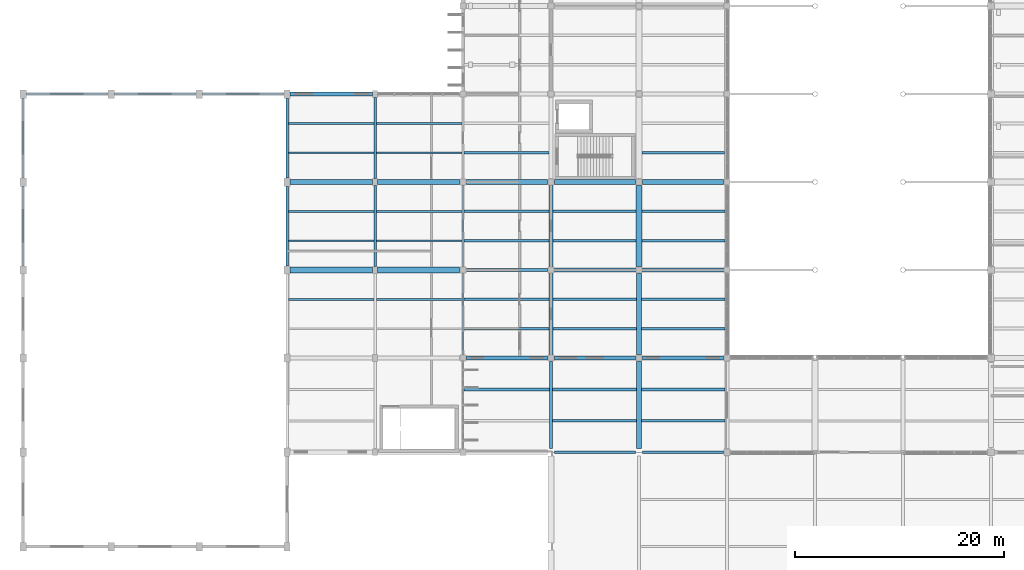
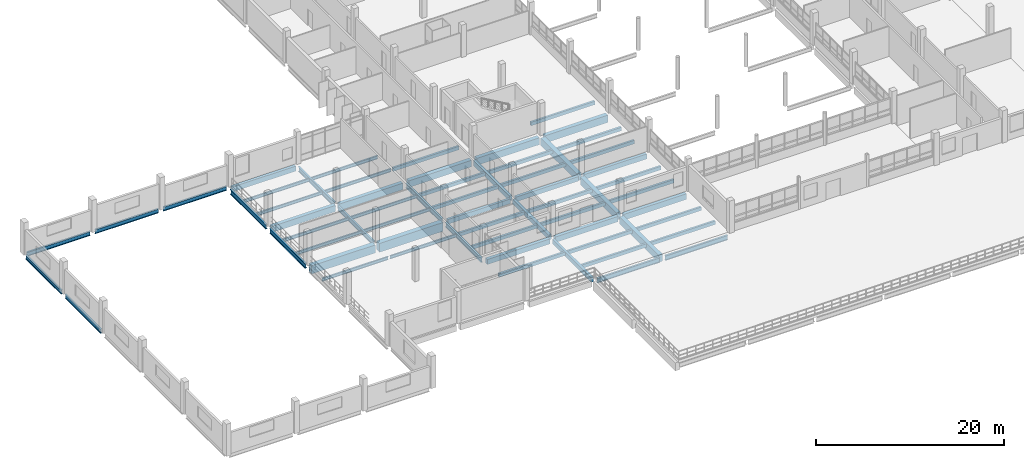
# One storey, part 11 of 101: 62 beams.
"""IFC4 building model written with IfcOpenShell, lengths in metres."""

from ifc_helpers import new_model, si_unit, direction, frame, origin, origin_2d, place, context, subcontext, project, spatial, rectangle, i_section, extrude, material, material_profile, profile_set, type_object, element, save


model = new_model("IFC4")

# Units and contexts
model_context = context("Model", 3, precision=1e-05, world=origin(), true_north=direction((0.0, 1.0)))
body_context = subcontext(model_context, "Body", "Model", "MODEL_VIEW")
ifc_project = project(units=[si_unit("LENGTHUNIT", "METRE"), si_unit("AREAUNIT", "SQUARE_METRE"), si_unit("VOLUMEUNIT", "CUBIC_METRE"), si_unit("PLANEANGLEUNIT", "RADIAN"), si_unit("MASSUNIT", "GRAM", prefix="KILO")], contexts=[model_context])

# Site, building, storey
site_placement = place(None, origin())
site = spatial("IfcSite", under=ifc_project, at=site_placement, CompositionType="ELEMENT")
building_placement = place(site_placement, origin())
building = spatial("IfcBuilding", under=site, at=building_placement, Name="Vireocrest Preparatory School", CompositionType="ELEMENT")
storey_placement = place(building_placement, frame((0.0, 0.0, 4.800048828125)))
storey = spatial("IfcBuildingStorey", under=building, at=storey_placement, Name="L01", CompositionType="ELEMENT", Elevation=4.800048828125)

# Beams
ifc_material_1 = material(Name="Structural steel ASTM A992 Grade 50", Category="steel")
ifc_material_profile_1 = material_profile(ifc_material_1, i_section(OverallWidth=0.208984375, OverallDepth=0.532958984375, WebThickness=0.01025390625, FlangeThickness=0.015625, FilletRadius=0.014892578125, at=origin_2d()), Name="W21X62")
ifc_profile_set_1 = profile_set([ifc_material_profile_1], Name="Structural steel ASTM A992 Grade 50")
beam_type_1 = type_object("IfcBeamType", Name="Court Tie Girder W21X62", PredefinedType="BEAM", material=ifc_profile_set_1)
beam_1_placement = place(storey_placement, frame((0.0, 35.794921875, -0.2666015625), z_axis=(0.0, 1.0, 0.0), x_axis=(-1.0, 0.0, 0.0)))
element("IfcBeam", 1, at=beam_1_placement, inside=storey, type_object=beam_type_1, Name="Hall Perimeter Wall Girt SB5 L01-04", PredefinedType="BEAM", context=body_context, shape_type="SweptSolid", body=[
    extrude(i_section(OverallWidth=0.208984375, OverallDepth=0.532958984375, WebThickness=0.01025390625, FlangeThickness=0.015625, FilletRadius=0.014892578125, at=origin_2d()), origin(), (0.0, 0.0, 1.0), 7.610107421875),
])
beam_2_placement = place(storey_placement, frame((0.0, 44.195068359375, -0.2666015625), z_axis=(0.0, 1.0, 0.0), x_axis=(-1.0, 0.0, 0.0)))
element("IfcBeam", 2, at=beam_2_placement, inside=storey, type_object=beam_type_1, Name="Hall Perimeter Wall Girt SB5 L01-05", PredefinedType="BEAM", context=body_context, shape_type="SweptSolid", body=[
    extrude(i_section(OverallWidth=0.208984375, OverallDepth=0.532958984375, WebThickness=0.01025390625, FlangeThickness=0.015625, FilletRadius=0.014892578125, at=origin_2d()), origin(), (0.0, 0.0, 1.0), 7.60986328125),
])
beam_3_placement = place(storey_placement, frame((0.294921875, 52.199951171875, -0.2666015625), z_axis=(1.0, 0.0, 0.0), x_axis=(0.0, 1.0, 0.0)))
element("IfcBeam", 3, at=beam_3_placement, inside=storey, type_object=beam_type_1, Name="Hall Perimeter Wall Girt SB5 L01-10", PredefinedType="BEAM", context=body_context, shape_type="SweptSolid", body=[
    extrude(i_section(OverallWidth=0.208984375, OverallDepth=0.532958984375, WebThickness=0.01025390625, FlangeThickness=0.015625, FilletRadius=0.014892578125, at=origin_2d()), origin(), (0.0, 0.0, 1.0), 7.81005859375),
])
beam_4_placement = place(storey_placement, frame((8.695068359375, 52.199951171875, -0.2666015625), z_axis=(1.0, 0.0, 0.0), x_axis=(0.0, 1.0, 0.0)))
element("IfcBeam", 4, at=beam_4_placement, inside=storey, type_object=beam_type_1, Name="Hall Perimeter Wall Girt SB5 L01-11", PredefinedType="BEAM", context=body_context, shape_type="SweptSolid", body=[
    extrude(i_section(OverallWidth=0.208984375, OverallDepth=0.532958984375, WebThickness=0.01025390625, FlangeThickness=0.015625, FilletRadius=0.014892578125, at=origin_2d()), origin(), (0.0, 0.0, 1.0), 7.809814453125),
])
beam_5_placement = place(storey_placement, frame((17.094970703125, 52.199951171875, -0.2666015625), z_axis=(1.0, 0.0, 0.0), x_axis=(0.0, 1.0, 0.0)))
element("IfcBeam", 5, at=beam_5_placement, inside=storey, type_object=beam_type_1, Name="Hall Perimeter Wall Girt SB5 L01-12", PredefinedType="BEAM", context=body_context, shape_type="SweptSolid", body=[
    extrude(i_section(OverallWidth=0.208984375, OverallDepth=0.532958984375, WebThickness=0.01025390625, FlangeThickness=0.015625, FilletRadius=0.014892578125, at=origin_2d()), origin(), (0.0, 0.0, 1.0), 7.81005859375),
])
ifc_material_profile_2 = material_profile(ifc_material_1, i_section(OverallWidth=0.22802734375, OverallDepth=0.60302734375, WebThickness=0.010498046875, FlangeThickness=0.014892578125, FilletRadius=0.01611328125, at=origin_2d()), Name="W24X68")
ifc_profile_set_2 = profile_set([ifc_material_profile_2], Name="Structural steel ASTM A992 Grade 50")
beam_type_2 = type_object("IfcBeamType", Name="Dining Pavilion Roof Girder W24X68", PredefinedType="BEAM", material=ifc_profile_set_2)
beam_6_placement = place(storey_placement, frame((50.75, 18.0, -0.62158203125), z_axis=(1.0, 0.0, 0.0), x_axis=(0.0, 1.0, 0.0)))
element("IfcBeam", 6, at=beam_6_placement, inside=storey, type_object=beam_type_2, Name="Primary Girder SB4 L01-0262", PredefinedType="BEAM", context=body_context, shape_type="SweptSolid", body=[
    extrude(i_section(OverallWidth=0.22802734375, OverallDepth=0.60302734375, WebThickness=0.010498046875, FlangeThickness=0.014892578125, FilletRadius=0.01611328125, at=origin_2d()), origin(), (0.0, 0.0, 1.0), 7.699951171875),
])
beam_7_placement = place(storey_placement, frame((59.14990234375, 18.0, -0.62158203125), z_axis=(1.0, 0.0, 0.0), x_axis=(0.0, 1.0, 0.0)))
element("IfcBeam", 7, at=beam_7_placement, inside=storey, type_object=beam_type_2, Name="Primary Girder SB4 L01-0263", PredefinedType="BEAM", context=body_context, shape_type="SweptSolid", body=[
    extrude(i_section(OverallWidth=0.22802734375, OverallDepth=0.60302734375, WebThickness=0.010498046875, FlangeThickness=0.014892578125, FilletRadius=0.01611328125, at=origin_2d()), origin(), (0.0, 0.0, 1.0), 7.7001953125),
])
ifc_material_profile_3 = material_profile(ifc_material_1, i_section(OverallWidth=0.177978515625, OverallDepth=0.406005859375, WebThickness=0.0078125, FlangeThickness=0.0126953125, FilletRadius=0.012939453125, at=origin_2d()), Name="W16X40")
ifc_profile_set_3 = profile_set([ifc_material_profile_3], Name="Structural steel ASTM A992 Grade 50")
beam_type_3 = type_object("IfcBeamType", Name="Gallery Secondary Joist W16X40", PredefinedType="JOIST", material=ifc_profile_set_3)
for number, where, z_axis, x_axis, name in (
    (8, (25.31396484375, 32.60009765625, -0.483154296875), (1.0, 0.0, 0.0), (0.0, 1.0, 0.0), "Secondary Joist SJ3 L01-0495"),
    (9, (25.31396484375, 38.199951171875, -0.483154296875), (1.0, 0.0, 0.0), (0.0, 1.0, 0.0), "Secondary Joist SJ3 L01-0496"),
    (10, (25.31396484375, 41.0, -0.483154296875), (1.0, 0.0, 0.0), (0.0, 1.0, 0.0), "Secondary Joist SJ3 L01-0497"),
    (11, (25.31396484375, 46.60009765625, -0.483154296875), (1.0, 0.0, 0.0), (0.0, 1.0, 0.0), "Secondary Joist SJ3 L01-0498"),
    (12, (25.31396484375, 49.39990234375, -0.483154296875), (1.0, 0.0, 0.0), (0.0, 1.0, 0.0), "Secondary Joist SJ3 L01-0499"),
):
    element("IfcBeam", number, at=place(storey_placement, frame(where, z_axis=z_axis, x_axis=x_axis)), inside=storey, type_object=beam_type_3, Name=name, PredefinedType="JOIST", context=body_context, shape_type="SweptSolid", body=[
        extrude(i_section(OverallWidth=0.177978515625, OverallDepth=0.406005859375, WebThickness=0.0078125, FlangeThickness=0.0126953125, FilletRadius=0.012939453125, at=origin_2d()), origin(), (0.0, 0.0, 1.0), 8.172119140625),
    ])
for number, where, z_axis, x_axis, name in (
    (13, (33.714111328125, 32.60009765625, -0.483154296875), (1.0, 0.0, 0.0), (0.0, 1.0, 0.0), "Secondary Joist SJ3 L01-0501"),
    (14, (33.714111328125, 38.199951171875, -0.483154296875), (1.0, 0.0, 0.0), (0.0, 1.0, 0.0), "Secondary Joist SJ3 L01-0502"),
    (15, (33.714111328125, 41.0, -0.483154296875), (1.0, 0.0, 0.0), (0.0, 1.0, 0.0), "Secondary Joist SJ3 L01-0503"),
    (16, (33.714111328125, 46.60009765625, -0.483154296875), (1.0, 0.0, 0.0), (0.0, 1.0, 0.0), "Secondary Joist SJ3 L01-0504"),
    (17, (33.714111328125, 49.39990234375, -0.483154296875), (1.0, 0.0, 0.0), (0.0, 1.0, 0.0), "Secondary Joist SJ3 L01-0505"),
):
    element("IfcBeam", number, at=place(storey_placement, frame(where, z_axis=z_axis, x_axis=x_axis)), inside=storey, type_object=beam_type_3, Name=name, PredefinedType="JOIST", context=body_context, shape_type="SweptSolid", body=[
        extrude(i_section(OverallWidth=0.177978515625, OverallDepth=0.406005859375, WebThickness=0.0078125, FlangeThickness=0.0126953125, FilletRadius=0.012939453125, at=origin_2d()), origin(), (0.0, 0.0, 1.0), 8.171875),
    ])
ifc_material_profile_4 = material_profile(ifc_material_1, i_section(OverallWidth=0.22802734375, OverallDepth=0.60791015625, WebThickness=0.01123046875, FlangeThickness=0.017333984375, FilletRadius=0.01611328125, at=origin_2d()), Name="W24X76")
ifc_profile_set_4 = profile_set([ifc_material_profile_4], Name="Structural steel ASTM A992 Grade 50")
beam_type_4 = type_object("IfcBeamType", Name="Gallery Steel Girder W24X76", PredefinedType="BEAM", material=ifc_profile_set_4)
beam_8_placement = place(storey_placement, frame((25.199951171875, 35.800048828125, -0.583984375), z_axis=(0.0, 1.0, 0.0), x_axis=(-1.0, 0.0, 0.0)))
element("IfcBeam", 18, at=beam_8_placement, inside=storey, type_object=beam_type_4, Name="Primary Girder SB3 L01-0373", PredefinedType="BEAM", context=body_context, shape_type="SweptSolid", body=[
    extrude(i_section(OverallWidth=0.22802734375, OverallDepth=0.60791015625, WebThickness=0.01123046875, FlangeThickness=0.017333984375, FilletRadius=0.01611328125, at=origin_2d()), origin(), (0.0, 0.0, 1.0), 7.599853515625),
])
beam_9_placement = place(storey_placement, frame((25.199951171875, 44.199951171875, -0.583984375), z_axis=(0.0, 1.0, 0.0), x_axis=(-1.0, 0.0, 0.0)))
element("IfcBeam", 19, at=beam_9_placement, inside=storey, type_object=beam_type_4, Name="Primary Girder SB3 L01-0374", PredefinedType="BEAM", context=body_context, shape_type="SweptSolid", body=[
    extrude(i_section(OverallWidth=0.22802734375, OverallDepth=0.60791015625, WebThickness=0.01123046875, FlangeThickness=0.017333984375, FilletRadius=0.01611328125, at=origin_2d()), origin(), (0.0, 0.0, 1.0), 7.60009765625),
])
beam_10_placement = place(storey_placement, frame((33.60009765625, 35.75, -0.583984375), z_axis=(0.0, 1.0, 0.0), x_axis=(-1.0, 0.0, 0.0)))
element("IfcBeam", 20, at=beam_10_placement, inside=storey, type_object=beam_type_4, Name="Primary Girder SB3 L01-0377", PredefinedType="BEAM", context=body_context, shape_type="SweptSolid", body=[
    extrude(i_section(OverallWidth=0.22802734375, OverallDepth=0.60791015625, WebThickness=0.01123046875, FlangeThickness=0.017333984375, FilletRadius=0.01611328125, at=origin_2d()), origin(), (0.0, 0.0, 1.0), 7.699951171875),
])
beam_11_placement = place(storey_placement, frame((33.60009765625, 44.14990234375, -0.583984375), z_axis=(0.0, 1.0, 0.0), x_axis=(-1.0, 0.0, 0.0)))
element("IfcBeam", 21, at=beam_11_placement, inside=storey, type_object=beam_type_4, Name="Primary Girder SB3 L01-0378", PredefinedType="BEAM", context=body_context, shape_type="SweptSolid", body=[
    extrude(i_section(OverallWidth=0.22802734375, OverallDepth=0.60791015625, WebThickness=0.01123046875, FlangeThickness=0.017333984375, FilletRadius=0.01611328125, at=origin_2d()), origin(), (0.0, 0.0, 1.0), 7.7001953125),
])
for number, where, z_axis, x_axis, name in (
    (22, (42.0, 27.35009765625, -0.583984375), (0.0, 1.0, 0.0), (-1.0, 0.0, 0.0), "Primary Girder SB3 L01-0380"),
    (23, (42.0, 35.75, -0.583984375), (0.0, 1.0, 0.0), (-1.0, 0.0, 0.0), "Primary Girder SB3 L01-0381"),
):
    element("IfcBeam", number, at=place(storey_placement, frame(where, z_axis=z_axis, x_axis=x_axis)), inside=storey, type_object=beam_type_4, Name=name, PredefinedType="BEAM", context=body_context, shape_type="SweptSolid", body=[
        extrude(i_section(OverallWidth=0.22802734375, OverallDepth=0.60791015625, WebThickness=0.01123046875, FlangeThickness=0.017333984375, FilletRadius=0.01611328125, at=origin_2d()), origin(), (0.0, 0.0, 1.0), 7.699951171875),
    ])
ifc_material_2 = material(Name="Concrete 40 MPa", Category="concrete")
ifc_material_profile_5 = material_profile(ifc_material_2, rectangle(XDim=0.5, YDim=0.949951171875, at=origin_2d()), Name="RC 500x950")
ifc_profile_set_5 = profile_set([ifc_material_profile_5], Name="Concrete 40 MPa")
beam_type_5 = type_object("IfcBeamType", Name="RC Basement Ceiling Girder 500x950", PredefinedType="BEAM", material=ifc_profile_set_5)
beam_12_placement = place(storey_placement, frame((59.14990234375, 43.800048828125, -0.715087890625), z_axis=(1.0, 0.0, 0.0), x_axis=(0.0, 1.0, 0.0)))
element("IfcBeam", 24, at=beam_12_placement, inside=storey, type_object=beam_type_5, Name="Primary Girder B16 L01-0302", PredefinedType="BEAM", context=body_context, shape_type="SweptSolid", body=[
    extrude(rectangle(XDim=0.5, YDim=0.949951171875, at=origin_2d()), origin(), (0.0, 0.0, 1.0), 7.7001953125),
])
beam_13_placement = place(storey_placement, frame((58.800048828125, 27.35009765625, -0.715087890625), z_axis=(0.0, 1.0, 0.0), x_axis=(-1.0, 0.0, 0.0)))
element("IfcBeam", 25, at=beam_13_placement, inside=storey, type_object=beam_type_5, Name="Primary Girder B16 L01-0405", PredefinedType="BEAM", context=body_context, shape_type="SweptSolid", body=[
    extrude(rectangle(XDim=0.5, YDim=0.949951171875, at=origin_2d()), origin(), (0.0, 0.0, 1.0), 7.699951171875),
])
ifc_material_profile_6 = material_profile(ifc_material_2, rectangle(XDim=0.300048828125, YDim=0.60009765625, at=origin_2d()), Name="RC 300x600")
ifc_profile_set_6 = profile_set([ifc_material_profile_6], Name="Concrete 40 MPa")
beam_type_6 = type_object("IfcBeamType", Name="RC Classroom Beam 300x600", PredefinedType="BEAM", material=ifc_profile_set_6)
beam_14_placement = place(storey_placement, frame((42.35009765625, 35.39990234375, -0.5400390625), z_axis=(1.0, 0.0, 0.0), x_axis=(0.0, 1.0, 0.0)))
element("IfcBeam", 26, at=beam_14_placement, inside=storey, type_object=beam_type_6, Name="Primary Girder B03 L01-0289", PredefinedType="BEAM", context=body_context, shape_type="SweptSolid", body=[
    extrude(rectangle(XDim=0.300048828125, YDim=0.60009765625, at=origin_2d()), origin(), (0.0, 0.0, 1.0), 7.699951171875),
])
beam_15_placement = place(storey_placement, frame((50.39990234375, 18.35009765625, -0.6201171875), z_axis=(0.0, 1.0, 0.0), x_axis=(-1.0, 0.0, 0.0)))
element("IfcBeam", 27, at=beam_15_placement, inside=storey, type_object=beam_type_6, Name="Primary Girder B03 L01-0392", PredefinedType="BEAM", context=body_context, shape_type="SweptSolid", body=[
    extrude(rectangle(XDim=0.300048828125, YDim=0.60009765625, at=origin_2d()), origin(), (0.0, 0.0, 1.0), 8.2998046875),
])
ifc_material_profile_7 = material_profile(ifc_material_2, rectangle(XDim=0.35009765625, YDim=0.60009765625, at=origin_2d()), Name="RC 350x600")
ifc_profile_set_7 = profile_set([ifc_material_profile_7], Name="Concrete 40 MPa")
beam_type_7 = type_object("IfcBeamType", Name="RC Classroom Girder 350x600", PredefinedType="BEAM", material=ifc_profile_set_7)
for number, where, z_axis, x_axis, name in (
    (28, (50.75, 35.39990234375, -0.5400390625), (1.0, 0.0, 0.0), (0.0, 1.0, 0.0), "Primary Girder B04 L01-0290"),
    (29, (50.39990234375, 27.35009765625, -0.5400390625), (0.0, 1.0, 0.0), (-1.0, 0.0, 0.0), "Primary Girder B04 L01-0393"),
):
    element("IfcBeam", number, at=place(storey_placement, frame(where, z_axis=z_axis, x_axis=x_axis)), inside=storey, type_object=beam_type_7, Name=name, PredefinedType="BEAM", context=body_context, shape_type="SweptSolid", body=[
        extrude(rectangle(XDim=0.35009765625, YDim=0.60009765625, at=origin_2d()), origin(), (0.0, 0.0, 1.0), 7.699951171875),
    ])
ifc_material_profile_8 = material_profile(ifc_material_2, rectangle(XDim=0.35009765625, YDim=0.64990234375, at=origin_2d()), Name="RC 350x650")
ifc_profile_set_8 = profile_set([ifc_material_profile_8], Name="Concrete 40 MPa")
beam_type_8 = type_object("IfcBeamType", Name="RC Classroom Girder 350x650", PredefinedType="BEAM", material=ifc_profile_set_8)
beam_16_placement = place(storey_placement, frame((59.14990234375, 35.39990234375, -0.56494140625), z_axis=(1.0, 0.0, 0.0), x_axis=(0.0, 1.0, 0.0)))
element("IfcBeam", 30, at=beam_16_placement, inside=storey, type_object=beam_type_8, Name="Primary Girder B05 L01-0291", PredefinedType="BEAM", context=body_context, shape_type="SweptSolid", body=[
    extrude(rectangle(XDim=0.35009765625, YDim=0.64990234375, at=origin_2d()), origin(), (0.0, 0.0, 1.0), 7.7001953125),
])
beam_17_placement = place(storey_placement, frame((25.5, 52.199951171875, -0.60498046875), z_axis=(1.0, 0.0, 0.0), x_axis=(0.0, 1.0, 0.0)))
element("IfcBeam", 31, at=beam_17_placement, inside=storey, type_object=beam_type_8, Name="Primary Girder B05 L01-0309", PredefinedType="BEAM", context=body_context, shape_type="SweptSolid", body=[
    extrude(rectangle(XDim=0.35009765625, YDim=0.64990234375, at=origin_2d()), origin(), (0.0, 0.0, 1.0), 7.85009765625),
])
beam_18_placement = place(storey_placement, frame((50.39990234375, 35.75, -0.56494140625), z_axis=(0.0, 1.0, 0.0), x_axis=(-1.0, 0.0, 0.0)))
element("IfcBeam", 32, at=beam_18_placement, inside=storey, type_object=beam_type_8, Name="Primary Girder B05 L01-0394", PredefinedType="BEAM", context=body_context, shape_type="SweptSolid", body=[
    extrude(rectangle(XDim=0.35009765625, YDim=0.64990234375, at=origin_2d()), origin(), (0.0, 0.0, 1.0), 7.699951171875),
])
ifc_material_profile_9 = material_profile(ifc_material_2, rectangle(XDim=0.39990234375, YDim=0.75, at=origin_2d()), Name="RC 400x750")
ifc_profile_set_9 = profile_set([ifc_material_profile_9], Name="Concrete 40 MPa")
beam_type_9 = type_object("IfcBeamType", Name="RC Commons Girder 400x750", PredefinedType="BEAM", material=ifc_profile_set_9)
beam_19_placement = place(storey_placement, frame((59.14990234375, 27.0, -0.695068359375), z_axis=(1.0, 0.0, 0.0), x_axis=(0.0, 1.0, 0.0)))
element("IfcBeam", 33, at=beam_19_placement, inside=storey, type_object=beam_type_9, Name="Primary Girder B09 L01-0277", PredefinedType="BEAM", context=body_context, shape_type="SweptSolid", body=[
    extrude(rectangle(XDim=0.39990234375, YDim=0.75, at=origin_2d()), origin(), (0.0, 0.0, 1.0), 7.7001953125),
])
ifc_material_profile_10 = material_profile(ifc_material_2, rectangle(XDim=0.39990234375, YDim=0.699951171875, at=origin_2d()), Name="RC 400x700")
ifc_profile_set_10 = profile_set([ifc_material_profile_10], Name="Concrete 40 MPa")
beam_type_10 = type_object("IfcBeamType", Name="RC Corridor Girder 400x700", PredefinedType="BEAM", material=ifc_profile_set_10)
beam_20_placement = place(storey_placement, frame((50.75, 27.0, -0.670166015625), z_axis=(1.0, 0.0, 0.0), x_axis=(0.0, 1.0, 0.0)))
element("IfcBeam", 34, at=beam_20_placement, inside=storey, type_object=beam_type_10, Name="Primary Girder B08 L01-0276", PredefinedType="BEAM", context=body_context, shape_type="SweptSolid", body=[
    extrude(rectangle(XDim=0.39990234375, YDim=0.699951171875, at=origin_2d()), origin(), (0.0, 0.0, 1.0), 7.699951171875),
])
ifc_material_profile_11 = material_profile(ifc_material_2, rectangle(XDim=0.449951171875, YDim=0.85009765625, at=origin_2d()), Name="RC 450x850")
ifc_profile_set_11 = profile_set([ifc_material_profile_11], Name="Concrete 40 MPa")
beam_type_11 = type_object("IfcBeamType", Name="RC Heavy Floor Girder 450x850", PredefinedType="BEAM", material=ifc_profile_set_11)
beam_21_placement = place(storey_placement, frame((33.85009765625, 43.800048828125, -0.705078125), z_axis=(1.0, 0.0, 0.0), x_axis=(0.0, 1.0, 0.0)))
element("IfcBeam", 35, at=beam_21_placement, inside=storey, type_object=beam_type_11, Name="Primary Girder B13 L01-0299", PredefinedType="BEAM", context=body_context, shape_type="SweptSolid", body=[
    extrude(rectangle(XDim=0.449951171875, YDim=0.85009765625, at=origin_2d()), origin(), (0.0, 0.0, 1.0), 7.7998046875),
])
ifc_material_profile_12 = material_profile(ifc_material_2, rectangle(XDim=0.60009765625, YDim=1.14990234375, at=origin_2d()), Name="RC 600x1150")
ifc_profile_set_12 = profile_set([ifc_material_profile_12], Name="Concrete 40 MPa")
beam_type_12 = type_object("IfcBeamType", Name="RC Heavy Transfer Girder 600x1150", PredefinedType="BEAM", material=ifc_profile_set_12)
beam_22_placement = place(storey_placement, frame((33.85009765625, 35.39990234375, -0.85498046875), z_axis=(1.0, 0.0, 0.0), x_axis=(0.0, 1.0, 0.0)))
element("IfcBeam", 36, at=beam_22_placement, inside=storey, type_object=beam_type_12, Name="Primary Girder B20 L01-0288", PredefinedType="BEAM", context=body_context, shape_type="SweptSolid", body=[
    extrude(rectangle(XDim=0.60009765625, YDim=1.14990234375, at=origin_2d()), origin(), (0.0, 0.0, 1.0), 7.7998046875),
])
ifc_material_profile_13 = material_profile(ifc_material_2, rectangle(XDim=0.39990234375, YDim=0.64990234375, at=origin_2d()), Name="RC 400x650")
ifc_profile_set_13 = profile_set([ifc_material_profile_13], Name="Concrete 40 MPa")
beam_type_13 = type_object("IfcBeamType", Name="RC Laboratory Girder 400x650", PredefinedType="BEAM", material=ifc_profile_set_13)
beam_23_placement = place(storey_placement, frame((42.35009765625, 27.0, -0.64501953125), z_axis=(1.0, 0.0, 0.0), x_axis=(0.0, 1.0, 0.0)))
element("IfcBeam", 37, at=beam_23_placement, inside=storey, type_object=beam_type_13, Name="Primary Girder B07 L01-0275", PredefinedType="BEAM", context=body_context, shape_type="SweptSolid", body=[
    extrude(rectangle(XDim=0.39990234375, YDim=0.64990234375, at=origin_2d()), origin(), (0.0, 0.0, 1.0), 7.699951171875),
])
ifc_material_profile_14 = material_profile(ifc_material_2, rectangle(XDim=0.449951171875, YDim=0.800048828125, at=origin_2d()), Name="RC 450x800")
ifc_profile_set_14 = profile_set([ifc_material_profile_14], Name="Concrete 40 MPa")
beam_type_14 = type_object("IfcBeamType", Name="RC Library Stack Girder 450x800", PredefinedType="BEAM", material=ifc_profile_set_14)
beam_24_placement = place(storey_placement, frame((25.5, 43.800048828125, -0.679931640625), z_axis=(1.0, 0.0, 0.0), x_axis=(0.0, 1.0, 0.0)))
element("IfcBeam", 38, at=beam_24_placement, inside=storey, type_object=beam_type_14, Name="Primary Girder B12 L01-0298", PredefinedType="BEAM", context=body_context, shape_type="SweptSolid", body=[
    extrude(rectangle(XDim=0.449951171875, YDim=0.800048828125, at=origin_2d()), origin(), (0.0, 0.0, 1.0), 7.85009765625),
])
ifc_material_profile_15 = material_profile(ifc_material_2, rectangle(XDim=0.5, YDim=0.85009765625, at=origin_2d()), Name="RC 500x850")
ifc_profile_set_15 = profile_set([ifc_material_profile_15], Name="Concrete 40 MPa")
beam_type_15 = type_object("IfcBeamType", Name="RC Podium Girder 500x850", PredefinedType="BEAM", material=ifc_profile_set_15)
beam_25_placement = place(storey_placement, frame((42.35009765625, 43.800048828125, -0.6650390625), z_axis=(1.0, 0.0, 0.0), x_axis=(0.0, 1.0, 0.0)))
element("IfcBeam", 39, at=beam_25_placement, inside=storey, type_object=beam_type_15, Name="Primary Girder B14 L01-0300", PredefinedType="BEAM", context=body_context, shape_type="SweptSolid", body=[
    extrude(rectangle(XDim=0.5, YDim=0.85009765625, at=origin_2d()), origin(), (0.0, 0.0, 1.0), 7.699951171875),
])
ifc_material_profile_16 = material_profile(ifc_material_2, rectangle(XDim=0.5, YDim=0.89990234375, at=origin_2d()), Name="RC 500x900")
ifc_profile_set_16 = profile_set([ifc_material_profile_16], Name="Concrete 40 MPa")
beam_type_16 = type_object("IfcBeamType", Name="RC Podium Girder 500x900", PredefinedType="BEAM", material=ifc_profile_set_16)
beam_26_placement = place(storey_placement, frame((50.75, 43.800048828125, -0.68994140625), z_axis=(1.0, 0.0, 0.0), x_axis=(0.0, 1.0, 0.0)))
element("IfcBeam", 40, at=beam_26_placement, inside=storey, type_object=beam_type_16, Name="Primary Girder B15 L01-0301", PredefinedType="BEAM", context=body_context, shape_type="SweptSolid", body=[
    extrude(rectangle(XDim=0.5, YDim=0.89990234375, at=origin_2d()), origin(), (0.0, 0.0, 1.0), 7.699951171875),
])
beam_27_placement = place(storey_placement, frame((58.800048828125, 18.35009765625, -0.77001953125), z_axis=(0.0, 1.0, 0.0), x_axis=(-1.0, 0.0, 0.0)))
element("IfcBeam", 41, at=beam_27_placement, inside=storey, type_object=beam_type_16, Name="Primary Girder B15 L01-0404", PredefinedType="BEAM", context=body_context, shape_type="SweptSolid", body=[
    extrude(rectangle(XDim=0.5, YDim=0.89990234375, at=origin_2d()), origin(), (0.0, 0.0, 1.0), 8.2998046875),
])
ifc_material_profile_17 = material_profile(ifc_material_2, rectangle(XDim=0.25, YDim=0.449951171875, at=origin_2d()), Name="RC 250x450")
ifc_profile_set_17 = profile_set([ifc_material_profile_17], Name="Concrete 40 MPa")
beam_type_17 = type_object("IfcBeamType", Name="RC Secondary Floor Joist 250x450", PredefinedType="JOIST", material=ifc_profile_set_17)
beam_28_placement = place(storey_placement, frame((42.114013671875, 24.0, -0.545166015625), z_axis=(1.0, 0.0, 0.0), x_axis=(0.0, 1.0, 0.0)))
element("IfcBeam", 42, at=beam_28_placement, inside=storey, type_object=beam_type_17, Name="Secondary Joist J01 L01-0507", PredefinedType="JOIST", context=body_context, shape_type="SweptSolid", body=[
    extrude(rectangle(XDim=0.25, YDim=0.449951171875, at=origin_2d()), origin(), (0.0, 0.0, 1.0), 8.135986328125),
])
for number, where, z_axis, x_axis, name in (
    (43, (42.114013671875, 29.800048828125, -0.465087890625), (1.0, 0.0, 0.0), (0.0, 1.0, 0.0), "Secondary Joist J01 L01-0508"),
    (44, (42.114013671875, 32.60009765625, -0.465087890625), (1.0, 0.0, 0.0), (0.0, 1.0, 0.0), "Secondary Joist J01 L01-0509"),
    (45, (42.114013671875, 38.199951171875, -0.465087890625), (1.0, 0.0, 0.0), (0.0, 1.0, 0.0), "Secondary Joist J01 L01-0510"),
    (46, (42.114013671875, 41.0, -0.465087890625), (1.0, 0.0, 0.0), (0.0, 1.0, 0.0), "Secondary Joist J01 L01-0511"),
    (47, (42.114013671875, 46.60009765625, -0.465087890625), (1.0, 0.0, 0.0), (0.0, 1.0, 0.0), "Secondary Joist J01 L01-0512"),
):
    element("IfcBeam", number, at=place(storey_placement, frame(where, z_axis=z_axis, x_axis=x_axis)), inside=storey, type_object=beam_type_17, Name=name, PredefinedType="JOIST", context=body_context, shape_type="SweptSolid", body=[
        extrude(rectangle(XDim=0.25, YDim=0.449951171875, at=origin_2d()), origin(), (0.0, 0.0, 1.0), 8.111083984375),
    ])
for number, where, z_axis, x_axis, name in (
    (48, (50.550048828125, 21.0, -0.545166015625), (1.0, 0.0, 0.0), (0.0, 1.0, 0.0), "Secondary Joist J01 L01-0528"),
    (49, (50.550048828125, 24.0, -0.545166015625), (1.0, 0.0, 0.0), (0.0, 1.0, 0.0), "Secondary Joist J01 L01-0529"),
):
    element("IfcBeam", number, at=place(storey_placement, frame(where, z_axis=z_axis, x_axis=x_axis)), inside=storey, type_object=beam_type_17, Name=name, PredefinedType="JOIST", context=body_context, shape_type="SweptSolid", body=[
        extrude(rectangle(XDim=0.25, YDim=0.449951171875, at=origin_2d()), origin(), (0.0, 0.0, 1.0), 8.0),
    ])
for number, where, z_axis, x_axis, name in (
    (50, (50.574951171875, 29.800048828125, -0.465087890625), (1.0, 0.0, 0.0), (0.0, 1.0, 0.0), "Secondary Joist J01 L01-0530"),
    (51, (50.574951171875, 32.60009765625, -0.465087890625), (1.0, 0.0, 0.0), (0.0, 1.0, 0.0), "Secondary Joist J01 L01-0531"),
):
    element("IfcBeam", number, at=place(storey_placement, frame(where, z_axis=z_axis, x_axis=x_axis)), inside=storey, type_object=beam_type_17, Name=name, PredefinedType="JOIST", context=body_context, shape_type="SweptSolid", body=[
        extrude(rectangle(XDim=0.25, YDim=0.449951171875, at=origin_2d()), origin(), (0.0, 0.0, 1.0), 7.97509765625),
    ])
for number, where, z_axis, x_axis, name in (
    (52, (50.574951171875, 38.199951171875, -0.465087890625), (1.0, 0.0, 0.0), (0.0, 1.0, 0.0), "Secondary Joist J01 L01-0532"),
    (53, (50.574951171875, 41.0, -0.465087890625), (1.0, 0.0, 0.0), (0.0, 1.0, 0.0), "Secondary Joist J01 L01-0533"),
    (54, (59.050048828125, 21.0, -0.545166015625), (1.0, 0.0, 0.0), (0.0, 1.0, 0.0), "Secondary Joist J01 L01-0546"),
    (55, (59.050048828125, 24.0, -0.545166015625), (1.0, 0.0, 0.0), (0.0, 1.0, 0.0), "Secondary Joist J01 L01-0547"),
    (56, (59.050048828125, 29.800048828125, -0.465087890625), (1.0, 0.0, 0.0), (0.0, 1.0, 0.0), "Secondary Joist J01 L01-0548"),
    (57, (59.050048828125, 32.60009765625, -0.465087890625), (1.0, 0.0, 0.0), (0.0, 1.0, 0.0), "Secondary Joist J01 L01-0549"),
):
    element("IfcBeam", number, at=place(storey_placement, frame(where, z_axis=z_axis, x_axis=x_axis)), inside=storey, type_object=beam_type_17, Name=name, PredefinedType="JOIST", context=body_context, shape_type="SweptSolid", body=[
        extrude(rectangle(XDim=0.25, YDim=0.449951171875, at=origin_2d()), origin(), (0.0, 0.0, 1.0), 7.949951171875),
    ])
for number, where, z_axis, x_axis, name in (
    (58, (59.074951171875, 38.199951171875, -0.465087890625), (1.0, 0.0, 0.0), (0.0, 1.0, 0.0), "Secondary Joist J01 L01-0550"),
    (59, (59.074951171875, 41.0, -0.465087890625), (1.0, 0.0, 0.0), (0.0, 1.0, 0.0), "Secondary Joist J01 L01-0551"),
):
    element("IfcBeam", number, at=place(storey_placement, frame(where, z_axis=z_axis, x_axis=x_axis)), inside=storey, type_object=beam_type_17, Name=name, PredefinedType="JOIST", context=body_context, shape_type="SweptSolid", body=[
        extrude(rectangle(XDim=0.25, YDim=0.449951171875, at=origin_2d()), origin(), (0.0, 0.0, 1.0), 7.925048828125),
    ])
beam_29_placement = place(storey_placement, frame((59.074951171875, 46.60009765625, -0.465087890625), z_axis=(1.0, 0.0, 0.0), x_axis=(0.0, 1.0, 0.0)))
element("IfcBeam", 60, at=beam_29_placement, inside=storey, type_object=beam_type_17, Name="Secondary Joist J01 L01-0552", PredefinedType="JOIST", context=body_context, shape_type="SweptSolid", body=[
    extrude(rectangle(XDim=0.25, YDim=0.449951171875, at=origin_2d()), origin(), (0.0, 0.0, 1.0), 7.900146484375),
])
ifc_material_profile_18 = material_profile(ifc_material_2, rectangle(XDim=0.550048828125, YDim=0.949951171875, at=origin_2d()), Name="RC 550x950")
ifc_profile_set_18 = profile_set([ifc_material_profile_18], Name="Concrete 40 MPa")
beam_type_18 = type_object("IfcBeamType", Name="RC Setback Edge Girder 550x950", PredefinedType="BEAM", material=ifc_profile_set_18)
beam_30_placement = place(storey_placement, frame((58.800048828125, 35.75, -0.715087890625), z_axis=(0.0, 1.0, 0.0), x_axis=(-1.0, 0.0, 0.0)))
element("IfcBeam", 61, at=beam_30_placement, inside=storey, type_object=beam_type_18, Name="Primary Girder B17 L01-0406", PredefinedType="BEAM", context=body_context, shape_type="SweptSolid", body=[
    extrude(rectangle(XDim=0.550048828125, YDim=0.949951171875, at=origin_2d()), origin(), (0.0, 0.0, 1.0), 7.699951171875),
])
ifc_material_profile_19 = material_profile(ifc_material_2, rectangle(XDim=0.60009765625, YDim=1.050048828125, at=origin_2d()), Name="RC 600x1050")
ifc_profile_set_19 = profile_set([ifc_material_profile_19], Name="Concrete 40 MPa")
beam_type_19 = type_object("IfcBeamType", Name="RC Transfer Girder 600x1050", PredefinedType="BEAM", material=ifc_profile_set_19)
beam_31_placement = place(storey_placement, frame((25.5, 35.39990234375, -0.804931640625), z_axis=(1.0, 0.0, 0.0), x_axis=(0.0, 1.0, 0.0)))
element("IfcBeam", 62, at=beam_31_placement, inside=storey, type_object=beam_type_19, Name="Primary Girder B19 L01-0287", PredefinedType="BEAM", context=body_context, shape_type="SweptSolid", body=[
    extrude(rectangle(XDim=0.60009765625, YDim=1.050048828125, at=origin_2d()), origin(), (0.0, 0.0, 1.0), 7.85009765625),
])

save(model, "model.ifc")
